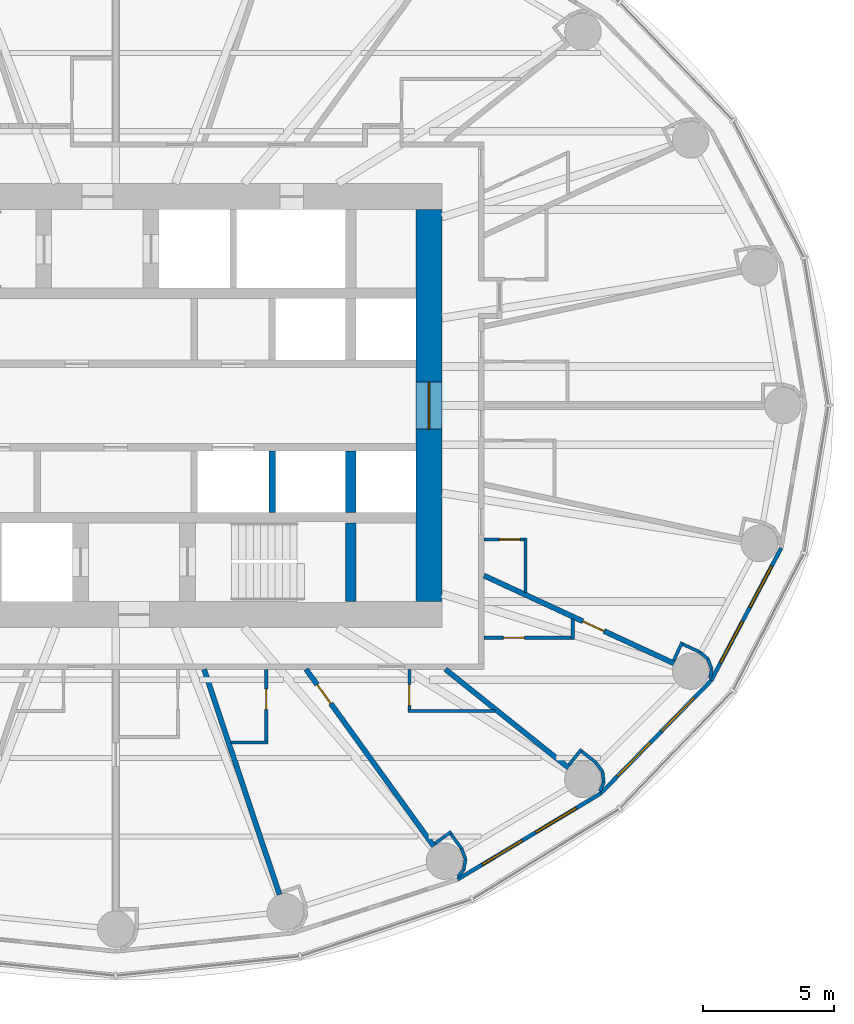
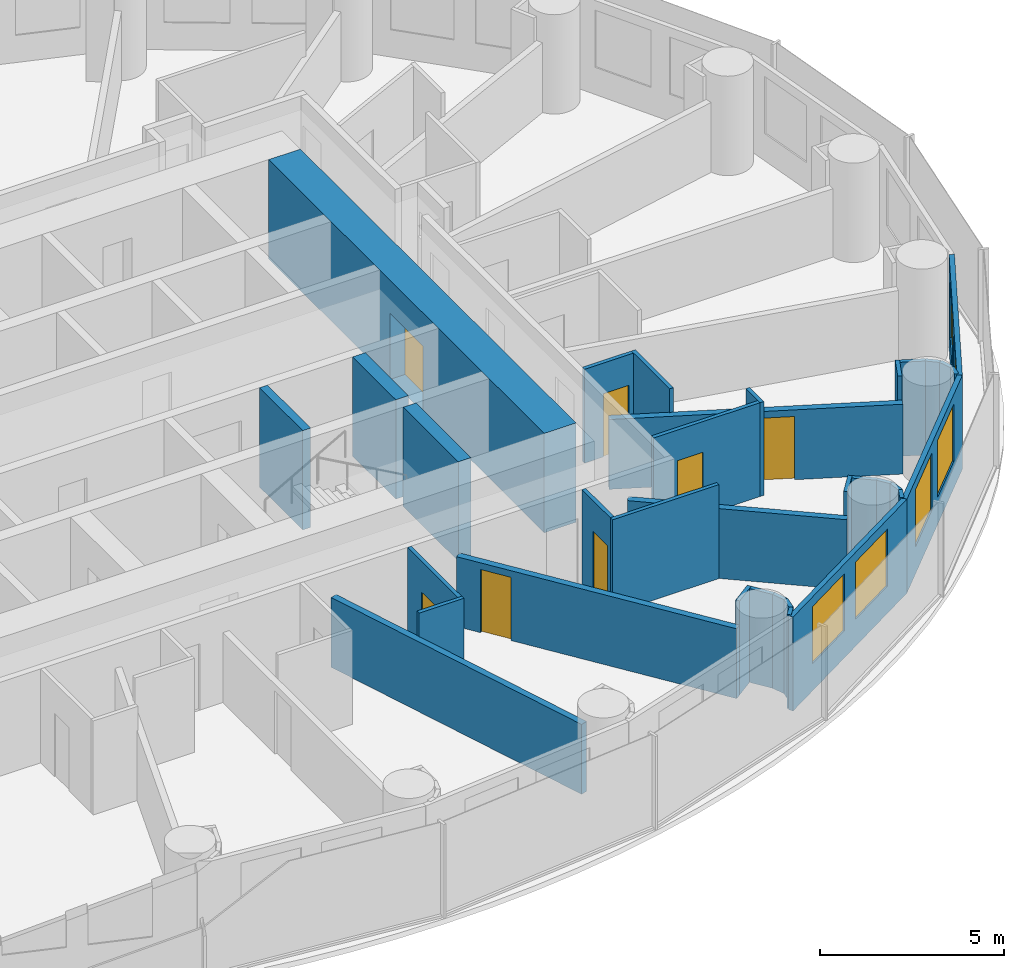
# One storey, part 10 of 16: 34 walls, 7 doors, 6 windows, 13 openings.
"""IFC4 building model written with IfcOpenShell, lengths in metres."""

from ifc_helpers import new_model, si_unit, direction, frame, frame_2d, origin, place, context, subcontext, project, spatial, rectangle, extrude, material, layer, layer_set, type_object, element, fill, save


model = new_model("IFC4")

# Units and contexts
model_context = context("Model", 3, precision=1e-05, world=origin(), true_north=direction((0.0, 1.0)))
body_context = subcontext(model_context, "Body", "Model", "MODEL_VIEW")
ifc_project = project(units=[si_unit("LENGTHUNIT", "METRE"), si_unit("AREAUNIT", "SQUARE_METRE"), si_unit("VOLUMEUNIT", "CUBIC_METRE"), si_unit("PLANEANGLEUNIT", "RADIAN"), si_unit("MASSUNIT", "GRAM", prefix="KILO")], contexts=[model_context])

# Site, building, storey
site_placement = place(None, origin())
site = spatial("IfcSite", under=ifc_project, at=site_placement, CompositionType="ELEMENT")
building_placement = place(site_placement, origin())
building = spatial("IfcBuilding", under=site, at=building_placement, Name="Hankou Lantern Tower", CompositionType="ELEMENT")
storey_placement = place(building_placement, frame((0.0, 0.0, 70.5)))
storey = spatial("IfcBuildingStorey", under=building, at=storey_placement, Name="L17", CompositionType="ELEMENT", Elevation=70.5)

# Wall, opening, door
ifc_material_1 = material(Name="Concrete C60", Category="concrete")
ifc_layer_1 = layer(ifc_material_1, 1.0)
ifc_layer_set_1 = layer_set([ifc_layer_1], Name="Concrete C60")
wall_type_1 = type_object("IfcWallType", Name="CW1 CORE WALL 1000", PredefinedType="SHEAR", material=ifc_layer_set_1)
wall_1_placement = place(storey_placement, frame((12.0, -7.5, 0.0), z_axis=(0.0, 0.0, 1.0), x_axis=(0.0, 1.0, 0.0)))
wall_1 = element("IfcWall", 1, at=wall_1_placement, inside=storey, type_object=wall_type_1, Name="Core wall east L17", PredefinedType="SHEAR", context=body_context, shape_type="SweptSolid", body=[
    extrude(rectangle(XDim=15.0, YDim=1.0, at=frame_2d((7.5, 0.0))), origin(), (0.0, 0.0, 1.0), 3.300048828125),
])
opening_1_placement = place(wall_1_placement, frame((6.60009765625, 0.0, 0.0)))
opening_1 = element("IfcOpeningElement", 2, at=opening_1_placement, cuts=wall_1, Name="Opening D6", PredefinedType="OPENING", context=body_context, shape_type="SweptSolid", body=[
    extrude(rectangle(XDim=1.800048828125, YDim=2.199951171875, at=frame_2d((0.89990234375, 1.10009765625))), frame((0.0, 0.510009765625, 0.0), z_axis=(0.0, -1.0, 0.0), x_axis=(1.0, 0.0, 0.0)), (0.0, 0.0, 1.0), 1.02001953125),
])
ifc_material_2 = material(Name="Steel door leaf", Category="steel")
door_type_1 = type_object("IfcDoorType", Name="D6 LIFT LOBBY DOOR 1800X2200", OperationType="DOUBLE_DOOR_DOUBLE_SWING", PredefinedType="DOOR", material=ifc_material_2)
door_1_placement = place(opening_1_placement, origin())
door_1 = element("IfcDoor", 3, at=door_1_placement, inside=storey, type_object=door_type_1, Name="Lift lobby east door", OperationType="DOUBLE_DOOR_DOUBLE_SWING", OverallHeight=2.199951171875, OverallWidth=1.800048828125, PredefinedType="DOOR", context=body_context, shape_type="SweptSolid", body=[
    extrude(rectangle(XDim=1.800048828125, YDim=2.199951171875, at=frame_2d((0.89990234375, 1.10009765625))), frame((0.0, 0.02490234375, 0.0), z_axis=(0.0, -1.0, 0.0), x_axis=(1.0, 0.0, 0.0)), (0.0, 0.0, 1.0), 0.050048828125),
])
fill(opening_1, door_1)

# Walls
ifc_material_3 = material(Name="Concrete C60", Category="concrete")
ifc_layer_2 = layer(ifc_material_3, 0.39990234375)
ifc_layer_set_2 = layer_set([ifc_layer_2], Name="Concrete C60")
wall_type_2 = type_object("IfcWallType", Name="CW4 CORE CROSS WALL 400", PredefinedType="SHEAR", material=ifc_layer_set_2)
wall_2_placement = place(storey_placement, frame((9.0, -4.10009765625, 0.0), z_axis=(0.0, 0.0, 1.0), x_axis=(0.0, 1.0, 0.0)))
element("IfcWall", 4, at=wall_2_placement, inside=storey, type_object=wall_type_2, Name="Core strip wall L17", PredefinedType="SHEAR", context=body_context, shape_type="SweptSolid", body=[
    extrude(rectangle(XDim=2.35009765625, YDim=0.39990234375, at=frame_2d((1.175048828125, 0.0))), origin(), (0.0, 0.0, 1.0), 3.300048828125),
])
wall_3_placement = place(storey_placement, frame((9.0, -7.5, 0.0), z_axis=(0.0, 0.0, 1.0), x_axis=(0.0, 1.0, 0.0)))
element("IfcWall", 5, at=wall_3_placement, inside=storey, type_object=wall_type_2, Name="Core strip wall L17", PredefinedType="SHEAR", context=body_context, shape_type="SweptSolid", body=[
    extrude(rectangle(XDim=3.0, YDim=0.39990234375, at=frame_2d((1.5, 0.0))), origin(), (0.0, 0.0, 1.0), 3.300048828125),
])

# Wall, openings, windows
ifc_material_4 = material(Name="Aluminium spandrel panel on steel studs", Category="steel")
ifc_layer_3 = layer(ifc_material_4, 0.14990234375)
ifc_layer_set_3 = layer_set([ifc_layer_3], Name="Aluminium spandrel panel on steel studs")
wall_type_3 = type_object("IfcWallType", Name="EW1 INNER SKIN WALL 150", PredefinedType="ELEMENTEDWALL", material=ifc_layer_set_3)
wall_4_placement = place(storey_placement, frame((13.096435546875, -18.14697265625, 0.0), z_axis=(0.0, 0.0, 1.0), x_axis=(0.856983180864, 0.515344377787, 0.0)))
wall_4 = element("IfcWall", 6, at=wall_4_placement, inside=storey, type_object=wall_type_3, Name="Inner skin R21-R22 L17", PredefinedType="ELEMENTEDWALL", context=body_context, shape_type="SweptSolid", body=[
    extrude(rectangle(XDim=6.386474609375, YDim=0.14990234375, at=frame_2d((3.193359375, 0.0))), origin(), (0.0, 0.0, 1.0), 3.1201171875),
])
opening_2_placement = place(wall_4_placement, frame((1.09326171875, 0.0, 0.89990234375)))
opening_2 = element("IfcOpeningElement", 7, at=opening_2_placement, cuts=wall_4, Name="Opening W1", PredefinedType="OPENING", context=body_context, shape_type="SweptSolid", body=[
    extrude(rectangle(XDim=1.800048828125, YDim=1.89990234375, at=frame_2d((0.89990234375, 0.949951171875))), frame((0.0, 0.0849609375, 0.0), z_axis=(0.0, -1.0, 0.0), x_axis=(1.0, 0.0, 0.0)), (0.0, 0.0, 1.0), 0.169921875),
])
opening_3_placement = place(wall_4_placement, frame((3.4931640625, 0.0, 0.89990234375)))
opening_3 = element("IfcOpeningElement", 8, at=opening_3_placement, cuts=wall_4, Name="Opening W1", PredefinedType="OPENING", context=body_context, shape_type="SweptSolid", body=[
    extrude(rectangle(XDim=1.800048828125, YDim=1.89990234375, at=frame_2d((0.89990234375, 0.949951171875))), frame((0.0, 0.0849609375, 0.0), z_axis=(0.0, -1.0, 0.0), x_axis=(1.0, 0.0, 0.0)), (0.0, 0.0, 1.0), 0.169921875),
])
ifc_material_5 = material(Name="Aluminium framed double glazed window", Category="aluminium")
window_type = type_object("IfcWindowType", Name="W1 GUEST ROOM WINDOW 1800X1900", PartitioningType="DOUBLE_PANEL_VERTICAL", PredefinedType="WINDOW", material=ifc_material_5)
window_1_placement = place(opening_2_placement, origin())
window_1 = element("IfcWindow", 9, at=window_1_placement, inside=storey, type_object=window_type, Name="Window R21.1 L17", OverallHeight=1.89990234375, OverallWidth=1.800048828125, PartitioningType="SINGLE_PANEL", PredefinedType="WINDOW", context=body_context, shape_type="SweptSolid", body=[
    extrude(rectangle(XDim=1.800048828125, YDim=1.89990234375, at=frame_2d((0.89990234375, 0.949951171875))), frame((0.0, 0.030029296875, 0.0), z_axis=(0.0, -1.0, 0.0), x_axis=(1.0, 0.0, 0.0)), (0.0, 0.0, 1.0), 0.06005859375),
])
fill(opening_2, window_1)
window_2_placement = place(opening_3_placement, origin())
window_2 = element("IfcWindow", 10, at=window_2_placement, inside=storey, type_object=window_type, Name="Window R21.2 L17", OverallHeight=1.89990234375, OverallWidth=1.800048828125, PartitioningType="SINGLE_PANEL", PredefinedType="WINDOW", context=body_context, shape_type="SweptSolid", body=[
    extrude(rectangle(XDim=1.800048828125, YDim=1.89990234375, at=frame_2d((0.89990234375, 0.949951171875))), frame((0.0, 0.030029296875, 0.0), z_axis=(0.0, -1.0, 0.0), x_axis=(1.0, 0.0, 0.0)), (0.0, 0.0, 1.0), 0.06005859375),
])
fill(opening_3, window_2)

wall_5_placement = place(storey_placement, frame((18.569580078125, -14.855712890625, 0.0), z_axis=(0.0, 0.0, 1.0), x_axis=(0.699602905915, 0.714531856557, 0.0)))
wall_5 = element("IfcWall", 11, at=wall_5_placement, inside=storey, type_object=wall_type_3, Name="Inner skin R22-R23 L17", PredefinedType="ELEMENTEDWALL", context=body_context, shape_type="SweptSolid", body=[
    extrude(rectangle(XDim=6.05078125, YDim=0.14990234375, at=frame_2d((3.025390625, 0.0))), origin(), (0.0, 0.0, 1.0), 3.1201171875),
])
opening_4_placement = place(wall_5_placement, frame((0.925537109375, 0.0, 0.89990234375)))
opening_4 = element("IfcOpeningElement", 12, at=opening_4_placement, cuts=wall_5, Name="Opening W1", PredefinedType="OPENING", context=body_context, shape_type="SweptSolid", body=[
    extrude(rectangle(XDim=1.800048828125, YDim=1.89990234375, at=frame_2d((0.89990234375, 0.949951171875))), frame((0.0, 0.0849609375, 0.0), z_axis=(0.0, -1.0, 0.0), x_axis=(1.0, 0.0, 0.0)), (0.0, 0.0, 1.0), 0.169921875),
])
opening_5_placement = place(wall_5_placement, frame((3.325439453125, 0.0, 0.89990234375)))
opening_5 = element("IfcOpeningElement", 13, at=opening_5_placement, cuts=wall_5, Name="Opening W1", PredefinedType="OPENING", context=body_context, shape_type="SweptSolid", body=[
    extrude(rectangle(XDim=1.800048828125, YDim=1.89990234375, at=frame_2d((0.89990234375, 0.949951171875))), frame((0.0, 0.0849609375, 0.0), z_axis=(0.0, -1.0, 0.0), x_axis=(1.0, 0.0, 0.0)), (0.0, 0.0, 1.0), 0.169921875),
])
window_3_placement = place(opening_4_placement, origin())
window_3 = element("IfcWindow", 14, at=window_3_placement, inside=storey, type_object=window_type, Name="Window R22.1 L17", OverallHeight=1.89990234375, OverallWidth=1.800048828125, PartitioningType="SINGLE_PANEL", PredefinedType="WINDOW", context=body_context, shape_type="SweptSolid", body=[
    extrude(rectangle(XDim=1.800048828125, YDim=1.89990234375, at=frame_2d((0.89990234375, 0.949951171875))), frame((0.0, 0.030029296875, 0.0), z_axis=(0.0, -1.0, 0.0), x_axis=(1.0, 0.0, 0.0)), (0.0, 0.0, 1.0), 0.06005859375),
])
fill(opening_4, window_3)
window_4_placement = place(opening_5_placement, origin())
window_4 = element("IfcWindow", 15, at=window_4_placement, inside=storey, type_object=window_type, Name="Window R22.2 L17", OverallHeight=1.89990234375, OverallWidth=1.800048828125, PartitioningType="SINGLE_PANEL", PredefinedType="WINDOW", context=body_context, shape_type="SweptSolid", body=[
    extrude(rectangle(XDim=1.800048828125, YDim=1.89990234375, at=frame_2d((0.89990234375, 0.949951171875))), frame((0.0, 0.030029296875, 0.0), z_axis=(0.0, -1.0, 0.0), x_axis=(1.0, 0.0, 0.0)), (0.0, 0.0, 1.0), 0.06005859375),
])
fill(opening_5, window_4)

wall_6_placement = place(storey_placement, frame((22.802734375, -10.5322265625, 0.0), z_axis=(0.0, 0.0, 1.0), x_axis=(0.467296867008, 0.884100468321, 0.0)))
wall_6 = element("IfcWall", 16, at=wall_6_placement, inside=storey, type_object=wall_type_3, Name="Inner skin R23-R24 L17", PredefinedType="ELEMENTEDWALL", context=body_context, shape_type="SweptSolid", body=[
    extrude(rectangle(XDim=5.734375, YDim=0.14990234375, at=frame_2d((2.8671875, 0.0))), origin(), (0.0, 0.0, 1.0), 3.1201171875),
])
opening_6_placement = place(wall_6_placement, frame((0.76708984375, 0.0, 0.89990234375)))
opening_6 = element("IfcOpeningElement", 17, at=opening_6_placement, cuts=wall_6, Name="Opening W1", PredefinedType="OPENING", context=body_context, shape_type="SweptSolid", body=[
    extrude(rectangle(XDim=1.800048828125, YDim=1.89990234375, at=frame_2d((0.89990234375, 0.949951171875))), frame((0.0, 0.0849609375, 0.0), z_axis=(0.0, -1.0, 0.0), x_axis=(1.0, 0.0, 0.0)), (0.0, 0.0, 1.0), 0.169921875),
])
opening_7_placement = place(wall_6_placement, frame((3.167236328125, 0.0, 0.89990234375)))
opening_7 = element("IfcOpeningElement", 18, at=opening_7_placement, cuts=wall_6, Name="Opening W1", PredefinedType="OPENING", context=body_context, shape_type="SweptSolid", body=[
    extrude(rectangle(XDim=1.800048828125, YDim=1.89990234375, at=frame_2d((0.89990234375, 0.949951171875))), frame((0.0, 0.0849609375, 0.0), z_axis=(0.0, -1.0, 0.0), x_axis=(1.0, 0.0, 0.0)), (0.0, 0.0, 1.0), 0.169921875),
])
window_5_placement = place(opening_6_placement, origin())
window_5 = element("IfcWindow", 19, at=window_5_placement, inside=storey, type_object=window_type, Name="Window R23.1 L17", OverallHeight=1.89990234375, OverallWidth=1.800048828125, PartitioningType="SINGLE_PANEL", PredefinedType="WINDOW", context=body_context, shape_type="SweptSolid", body=[
    extrude(rectangle(XDim=1.800048828125, YDim=1.89990234375, at=frame_2d((0.89990234375, 0.949951171875))), frame((0.0, 0.030029296875, 0.0), z_axis=(0.0, -1.0, 0.0), x_axis=(1.0, 0.0, 0.0)), (0.0, 0.0, 1.0), 0.06005859375),
])
fill(opening_6, window_5)
window_6_placement = place(opening_7_placement, origin())
window_6 = element("IfcWindow", 20, at=window_6_placement, inside=storey, type_object=window_type, Name="Window R23.2 L17", OverallHeight=1.89990234375, OverallWidth=1.800048828125, PartitioningType="SINGLE_PANEL", PredefinedType="WINDOW", context=body_context, shape_type="SweptSolid", body=[
    extrude(rectangle(XDim=1.800048828125, YDim=1.89990234375, at=frame_2d((0.89990234375, 0.949951171875))), frame((0.0, 0.030029296875, 0.0), z_axis=(0.0, -1.0, 0.0), x_axis=(1.0, 0.0, 0.0)), (0.0, 0.0, 1.0), 0.06005859375),
])
fill(opening_7, window_6)

# Walls
ifc_material_6 = material(Name="Masonry lightweight concrete block", Category="masonry")
ifc_layer_4 = layer(ifc_material_6, 0.199951171875)
ifc_layer_set_4 = layer_set([ifc_layer_4], Name="Masonry lightweight concrete block")
wall_type_4 = type_object("IfcWallType", Name="IW1 GUEST ROOM PARTY WALL 200", PredefinedType="PARTITIONING", material=ifc_layer_set_4)
wall_7_placement = place(storey_placement, frame((3.3828125, -10.10009765625, 0.0), z_axis=(0.0, 0.0, 1.0), x_axis=(0.31759592231, -0.948226149256, 0.0)))
element("IfcWall", 21, at=wall_7_placement, inside=storey, type_object=wall_type_4, Name="Party wall R20", PredefinedType="PARTITIONING", context=body_context, shape_type="SweptSolid", body=[
    extrude(rectangle(XDim=9.098388671875, YDim=0.199951171875, at=frame_2d((4.54931640625, 0.0))), origin(), (0.0, 0.0, 1.0), 2.320068359375),
])
wall_8_placement = place(storey_placement, frame((12.625, -10.10009765625, 0.0), z_axis=(0.0, 0.0, 1.0), x_axis=(0.780892451574, -0.624665493744, 0.0)))
element("IfcWall", 22, at=wall_8_placement, inside=storey, type_object=wall_type_4, Name="Party wall R22", PredefinedType="PARTITIONING", context=body_context, shape_type="SweptSolid", body=[
    extrude(rectangle(XDim=6.044677734375, YDim=0.199951171875, at=frame_2d((3.0224609375, 0.0))), origin(), (0.0, 0.0, 1.0), 2.320068359375),
])
ifc_material_7 = material(Name="Masonry lightweight concrete block", Category="masonry")
ifc_layer_5 = layer(ifc_material_7, 0.1201171875)
ifc_layer_set_5 = layer_set([ifc_layer_5], Name="Masonry lightweight concrete block")
wall_type_5 = type_object("IfcWallType", Name="IW3 BATHROOM WALL 120", PredefinedType="PARTITIONING", material=ifc_layer_set_5)
wall_9_placement = place(storey_placement, frame((4.420654296875, -12.89990234375, 0.0), z_axis=(0.0, 0.0, 1.0), x_axis=(1.0, 0.0, 0.0)))
element("IfcWall", 23, at=wall_9_placement, inside=storey, type_object=wall_type_5, Name="Box wall 1703A 1", PredefinedType="PARTITIONING", context=body_context, shape_type="SweptSolid", body=[
    extrude(rectangle(XDim=1.402099609375, YDim=0.1201171875, at=frame_2d((0.701171875, 0.0))), origin(), (0.0, 0.0, 1.0), 3.1201171875),
])

# Wall, opening, door
wall_10_placement = place(storey_placement, frame((5.762939453125, -10.10009765625, 0.0), z_axis=(0.0, 0.0, 1.0), x_axis=(0.0, -1.0, 0.0)))
wall_10 = element("IfcWall", 24, at=wall_10_placement, inside=storey, type_object=wall_type_5, Name="Box wall 1703A 1", PredefinedType="PARTITIONING", context=body_context, shape_type="SweptSolid", body=[
    extrude(rectangle(XDim=2.739990234375, YDim=0.1201171875, at=frame_2d((1.3701171875, 0.0))), origin(), (0.0, 0.0, 1.0), 3.1201171875),
])
opening_8_placement = place(wall_10_placement, frame((0.75, 0.0, 0.0)))
opening_8 = element("IfcOpeningElement", 25, at=opening_8_placement, cuts=wall_10, Name="Opening D3", PredefinedType="OPENING", context=body_context, shape_type="SweptSolid", body=[
    extrude(rectangle(XDim=0.800048828125, YDim=2.10009765625, at=frame_2d((0.39990234375, 1.050048828125))), frame((0.0, 0.070068359375, 0.0), z_axis=(0.0, -1.0, 0.0), x_axis=(1.0, 0.0, 0.0)), (0.0, 0.0, 1.0), 0.14013671875),
])
ifc_material_8 = material(Name="Timber door leaf", Category="wood")
door_type_2 = type_object("IfcDoorType", Name="D3 BATHROOM DOOR 800X2100", OperationType="SINGLE_SWING_LEFT", PredefinedType="DOOR", material=ifc_material_8)
door_2_placement = place(opening_8_placement, origin())
door_2 = element("IfcDoor", 26, at=door_2_placement, inside=storey, type_object=door_type_2, Name="Suite 1703 bathroom door", OperationType="SINGLE_SWING_LEFT", OverallHeight=2.10009765625, OverallWidth=0.800048828125, PredefinedType="DOOR", context=body_context, shape_type="SweptSolid", body=[
    extrude(rectangle(XDim=0.800048828125, YDim=2.10009765625, at=frame_2d((0.39990234375, 1.050048828125))), frame((0.0, 0.02490234375, 0.0), z_axis=(0.0, -1.0, 0.0), x_axis=(1.0, 0.0, 0.0)), (0.0, 0.0, 1.0), 0.050048828125),
])
fill(opening_8, door_2)

# Wall
wall_11_placement = place(storey_placement, frame((14.52490234375, -11.699951171875, 0.0), z_axis=(0.0, 0.0, 1.0), x_axis=(-1.0, 0.0, 0.0)))
element("IfcWall", 27, at=wall_11_placement, inside=storey, type_object=wall_type_5, Name="Box wall 1703C 1", PredefinedType="PARTITIONING", context=body_context, shape_type="SweptSolid", body=[
    extrude(rectangle(XDim=3.33984375, YDim=0.1201171875, at=frame_2d((1.669921875, 0.0))), origin(), (0.0, 0.0, 1.0), 3.1201171875),
])

# Wall, opening, door
wall_12_placement = place(storey_placement, frame((11.2451171875, -10.10009765625, 0.0), z_axis=(0.0, 0.0, 1.0), x_axis=(0.0, -1.0, 0.0)))
wall_12 = element("IfcWall", 28, at=wall_12_placement, inside=storey, type_object=wall_type_5, Name="Box wall 1703C 1", PredefinedType="PARTITIONING", context=body_context, shape_type="SweptSolid", body=[
    extrude(rectangle(XDim=1.539794921875, YDim=0.1201171875, at=frame_2d((0.77001953125, 0.0))), origin(), (0.0, 0.0, 1.0), 3.1201171875),
])
opening_9_placement = place(wall_12_placement, frame((0.590087890625, 0.0, 0.0)))
opening_9 = element("IfcOpeningElement", 29, at=opening_9_placement, cuts=wall_12, Name="Opening D3", PredefinedType="OPENING", context=body_context, shape_type="SweptSolid", body=[
    extrude(rectangle(XDim=0.800048828125, YDim=2.10009765625, at=frame_2d((0.39990234375, 1.050048828125))), frame((0.0, 0.070068359375, 0.0), z_axis=(0.0, -1.0, 0.0), x_axis=(1.0, 0.0, 0.0)), (0.0, 0.0, 1.0), 0.14013671875),
])
door_3_placement = place(opening_9_placement, origin())
door_3 = element("IfcDoor", 30, at=door_3_placement, inside=storey, type_object=door_type_2, Name="Suite 1703 guest WC door", OperationType="SINGLE_SWING_RIGHT", OverallHeight=2.10009765625, OverallWidth=0.800048828125, PredefinedType="DOOR", context=body_context, shape_type="SweptSolid", body=[
    extrude(rectangle(XDim=0.800048828125, YDim=2.10009765625, at=frame_2d((0.39990234375, 1.050048828125))), frame((0.0, 0.02490234375, 0.0), z_axis=(0.0, -1.0, 0.0), x_axis=(1.0, 0.0, 0.0)), (0.0, 0.0, 1.0), 0.050048828125),
])
fill(opening_9, door_3)

# Wall
wall_13_placement = place(storey_placement, frame((17.5, -8.182861328125, 0.0), z_axis=(0.0, 0.0, 1.0), x_axis=(0.0, -1.0, 0.0)))
element("IfcWall", 31, at=wall_13_placement, inside=storey, type_object=wall_type_5, Name="Box wall 1704A 1", PredefinedType="PARTITIONING", context=body_context, shape_type="SweptSolid", body=[
    extrude(rectangle(XDim=0.76953125, YDim=0.1201171875, at=frame_2d((0.384765625, 0.0))), origin(), (0.0, 0.0, 1.0), 3.1201171875),
])

# Wall, opening, door
wall_14_placement = place(storey_placement, frame((14.10009765625, -8.892578125, 0.0), z_axis=(0.0, 0.0, 1.0), x_axis=(1.0, 0.0, 0.0)))
wall_14 = element("IfcWall", 32, at=wall_14_placement, inside=storey, type_object=wall_type_5, Name="Box wall 1704A 1", PredefinedType="PARTITIONING", context=body_context, shape_type="SweptSolid", body=[
    extrude(rectangle(XDim=3.33984375, YDim=0.1201171875, at=frame_2d((1.669921875, 0.0))), origin(), (0.0, 0.0, 1.0), 3.1201171875),
])
opening_10_placement = place(wall_14_placement, frame((0.75, 0.0, 0.0)))
opening_10 = element("IfcOpeningElement", 33, at=opening_10_placement, cuts=wall_14, Name="Opening D3", PredefinedType="OPENING", context=body_context, shape_type="SweptSolid", body=[
    extrude(rectangle(XDim=0.800048828125, YDim=2.10009765625, at=frame_2d((0.39990234375, 1.050048828125))), frame((0.0, 0.070068359375, 0.0), z_axis=(0.0, -1.0, 0.0), x_axis=(1.0, 0.0, 0.0)), (0.0, 0.0, 1.0), 0.14013671875),
])
door_4_placement = place(opening_10_placement, origin())
door_4 = element("IfcDoor", 34, at=door_4_placement, inside=storey, type_object=door_type_2, Name="Suite 1704 bathroom door", OperationType="SINGLE_SWING_LEFT", OverallHeight=2.10009765625, OverallWidth=0.800048828125, PredefinedType="DOOR", context=body_context, shape_type="SweptSolid", body=[
    extrude(rectangle(XDim=0.800048828125, YDim=2.10009765625, at=frame_2d((0.39990234375, 1.050048828125))), frame((0.0, 0.02490234375, 0.0), z_axis=(0.0, -1.0, 0.0), x_axis=(1.0, 0.0, 0.0)), (0.0, 0.0, 1.0), 0.050048828125),
])
fill(opening_10, door_4)

# Wall
wall_15_placement = place(storey_placement, frame((15.699951171875, -7.151611328125, 0.0), z_axis=(0.0, 0.0, 1.0), x_axis=(0.0, 1.0, 0.0)))
element("IfcWall", 35, at=wall_15_placement, inside=storey, type_object=wall_type_5, Name="Box wall 1704C 1", PredefinedType="PARTITIONING", context=body_context, shape_type="SweptSolid", body=[
    extrude(rectangle(XDim=2.0791015625, YDim=0.1201171875, at=frame_2d((1.03955078125, 0.0))), origin(), (0.0, 0.0, 1.0), 3.1201171875),
])

# Wall, opening, door
wall_16_placement = place(storey_placement, frame((14.10009765625, -5.132568359375, 0.0), z_axis=(0.0, 0.0, 1.0), x_axis=(1.0, 0.0, 0.0)))
wall_16 = element("IfcWall", 36, at=wall_16_placement, inside=storey, type_object=wall_type_5, Name="Box wall 1704C 1", PredefinedType="PARTITIONING", context=body_context, shape_type="SweptSolid", body=[
    extrude(rectangle(XDim=1.539794921875, YDim=0.1201171875, at=frame_2d((0.77001953125, 0.0))), origin(), (0.0, 0.0, 1.0), 3.1201171875),
])
opening_11_placement = place(wall_16_placement, frame((0.590087890625, 0.0, 0.0)))
opening_11 = element("IfcOpeningElement", 37, at=opening_11_placement, cuts=wall_16, Name="Opening D3", PredefinedType="OPENING", context=body_context, shape_type="SweptSolid", body=[
    extrude(rectangle(XDim=0.800048828125, YDim=2.10009765625, at=frame_2d((0.39990234375, 1.050048828125))), frame((0.0, 0.070068359375, 0.0), z_axis=(0.0, -1.0, 0.0), x_axis=(1.0, 0.0, 0.0)), (0.0, 0.0, 1.0), 0.14013671875),
])
door_5_placement = place(opening_11_placement, origin())
door_5 = element("IfcDoor", 38, at=door_5_placement, inside=storey, type_object=door_type_2, Name="Suite 1704 guest WC door", OperationType="SINGLE_SWING_LEFT", OverallHeight=2.10009765625, OverallWidth=0.800048828125, PredefinedType="DOOR", context=body_context, shape_type="SweptSolid", body=[
    extrude(rectangle(XDim=0.800048828125, YDim=2.10009765625, at=frame_2d((0.39990234375, 1.050048828125))), frame((0.0, 0.02490234375, 0.0), z_axis=(0.0, -1.0, 0.0), x_axis=(1.0, 0.0, 0.0)), (0.0, 0.0, 1.0), 0.050048828125),
])
fill(opening_11, door_5)

# Walls
ifc_material_9 = material(Name="Masonry lightweight concrete block", Category="masonry")
ifc_layer_6 = layer(ifc_material_9, 0.1201171875)
ifc_layer_set_6 = layer_set([ifc_layer_6], Name="Masonry lightweight concrete block")
wall_type_6 = type_object("IfcWallType", Name="IW4 PARTITION 120", PredefinedType="PARTITIONING", material=ifc_layer_set_6)
wall_17_placement = place(storey_placement, frame((12.227294921875, -16.771728515625, 0.0), z_axis=(0.0, 0.0, 1.0), x_axis=(0.810821798253, 0.585293098778, 0.0)))
element("IfcWall", 39, at=wall_17_placement, inside=storey, type_object=wall_type_6, Name="Column casing R21 return", PredefinedType="PARTITIONING", context=body_context, shape_type="SweptSolid", body=[
    extrude(rectangle(XDim=0.767578125, YDim=0.1201171875, at=frame_2d((0.3837890625, 0.0))), origin(), (0.0, 0.0, 1.0), 3.1201171875),
])
wall_18_placement = place(storey_placement, frame((12.8359375, -16.40625, 0.0), z_axis=(0.0, 0.0, 1.0), x_axis=(0.585223113993, -0.810872312296, 0.0)))
element("IfcWall", 40, at=wall_18_placement, inside=storey, type_object=wall_type_6, Name="Column casing R21", PredefinedType="PARTITIONING", context=body_context, shape_type="SweptSolid", body=[
    extrude(rectangle(XDim=0.699951171875, YDim=0.1201171875, at=frame_2d((0.35009765625, 0.0))), origin(), (0.0, 0.0, 1.0), 3.1201171875),
])
wall_19_placement = place(storey_placement, frame((13.24560546875, -16.973876953125, 0.0), z_axis=(0.0, 0.0, 1.0), x_axis=(0.355728122235, -0.934589483705, 0.0)))
element("IfcWall", 41, at=wall_19_placement, inside=storey, type_object=wall_type_6, Name="Column casing R21", PredefinedType="PARTITIONING", context=body_context, shape_type="SweptSolid", body=[
    extrude(rectangle(XDim=0.41796875, YDim=0.1201171875, at=frame_2d((0.208984375, 0.0))), origin(), (0.0, 0.0, 1.0), 3.1201171875),
])
wall_20_placement = place(storey_placement, frame((13.394287109375, -17.364501953125, 0.0), z_axis=(0.0, 0.0, 1.0), x_axis=(-0.159379276926, -0.987217425943, 0.0)))
element("IfcWall", 42, at=wall_20_placement, inside=storey, type_object=wall_type_6, Name="Column casing R21", PredefinedType="PARTITIONING", context=body_context, shape_type="SweptSolid", body=[
    extrude(rectangle(XDim=0.418212890625, YDim=0.1201171875, at=frame_2d((0.208984375, 0.0))), origin(), (0.0, 0.0, 1.0), 3.1201171875),
])
wall_21_placement = place(storey_placement, frame((13.32763671875, -17.77734375, 0.0), z_axis=(0.0, 0.0, 1.0), x_axis=(-0.632276783541, -0.774742582407, 0.0)))
element("IfcWall", 43, at=wall_21_placement, inside=storey, type_object=wall_type_6, Name="Column casing R21", PredefinedType="PARTITIONING", context=body_context, shape_type="SweptSolid", body=[
    extrude(rectangle(XDim=0.35986328125, YDim=0.1201171875, at=frame_2d((0.179931640625, 0.0))), origin(), (0.0, 0.0, 1.0), 3.1201171875),
])
wall_22_placement = place(storey_placement, frame((17.36083984375, -13.760498046875, 0.0), z_axis=(0.0, 0.0, 1.0), x_axis=(0.624501042889, 0.781023973659, 0.0)))
element("IfcWall", 44, at=wall_22_placement, inside=storey, type_object=wall_type_6, Name="Column casing R22 return", PredefinedType="PARTITIONING", context=body_context, shape_type="SweptSolid", body=[
    extrude(rectangle(XDim=0.767333984375, YDim=0.1201171875, at=frame_2d((0.3837890625, 0.0))), origin(), (0.0, 0.0, 1.0), 3.1201171875),
])
wall_23_placement = place(storey_placement, frame((17.849609375, -13.24560546875, 0.0), z_axis=(0.0, 0.0, 1.0), x_axis=(0.780902834923, -0.62465251333, 0.0)))
element("IfcWall", 45, at=wall_23_placement, inside=storey, type_object=wall_type_6, Name="Column casing R22", PredefinedType="PARTITIONING", context=body_context, shape_type="SweptSolid", body=[
    extrude(rectangle(XDim=0.699951171875, YDim=0.1201171875, at=frame_2d((0.35009765625, 0.0))), origin(), (0.0, 0.0, 1.0), 3.1201171875),
])
for number, where, z_axis, x_axis, name in (
    (46, (18.396240234375, -13.682861328125, 0.0), (0.0, 0.0, 1.0), (0.592401603461, -0.805642811807, 0.0), "Column casing R22"),
    (47, (18.643798828125, -14.01953125, 0.0), (0.0, 0.0, 1.0), (0.110367433259, -0.993890854006, 0.0), "Column casing R22"),
):
    element("IfcWall", number, at=place(storey_placement, frame(where, z_axis=z_axis, x_axis=x_axis)), inside=storey, type_object=wall_type_6, Name=name, PredefinedType="PARTITIONING", context=body_context, shape_type="SweptSolid", body=[
        extrude(rectangle(XDim=0.41796875, YDim=0.1201171875, at=frame_2d((0.208984375, 0.0))), origin(), (0.0, 0.0, 1.0), 3.1201171875),
    ])
wall_24_placement = place(storey_placement, frame((18.68994140625, -14.43505859375, 0.0), z_axis=(0.0, 0.0, 1.0), x_axis=(-0.401093412634, -0.91603715773, 0.0)))
element("IfcWall", 48, at=wall_24_placement, inside=storey, type_object=wall_type_6, Name="Column casing R22", PredefinedType="PARTITIONING", context=body_context, shape_type="SweptSolid", body=[
    extrude(rectangle(XDim=0.373046875, YDim=0.1201171875, at=frame_2d((0.1865234375, 0.0))), origin(), (0.0, 0.0, 1.0), 3.1201171875),
])
wall_25_placement = place(storey_placement, frame((21.37109375, -9.7607421875, 0.0), z_axis=(0.0, 0.0, 1.0), x_axis=(0.419259891039, 0.907866258744, 0.0)))
element("IfcWall", 49, at=wall_25_placement, inside=storey, type_object=wall_type_6, Name="Column casing R23 return", PredefinedType="PARTITIONING", context=body_context, shape_type="SweptSolid", body=[
    extrude(rectangle(XDim=0.767578125, YDim=0.1201171875, at=frame_2d((0.3837890625, 0.0))), origin(), (0.0, 0.0, 1.0), 3.1201171875),
])
wall_26_placement = place(storey_placement, frame((21.72216796875, -9.1435546875, 0.0), z_axis=(0.0, 0.0, 1.0), x_axis=(0.907877701396, -0.419235112208, 0.0)))
element("IfcWall", 50, at=wall_26_placement, inside=storey, type_object=wall_type_6, Name="Column casing R23", PredefinedType="PARTITIONING", context=body_context, shape_type="SweptSolid", body=[
    extrude(rectangle(XDim=0.699951171875, YDim=0.1201171875, at=frame_2d((0.35009765625, 0.0))), origin(), (0.0, 0.0, 1.0), 3.1201171875),
])
wall_27_placement = place(storey_placement, frame((22.357666015625, -9.43701171875, 0.0), z_axis=(0.0, 0.0, 1.0), x_axis=(0.768412687942, -0.639954639806, 0.0)))
element("IfcWall", 51, at=wall_27_placement, inside=storey, type_object=wall_type_6, Name="Column casing R23", PredefinedType="PARTITIONING", context=body_context, shape_type="SweptSolid", body=[
    extrude(rectangle(XDim=0.418212890625, YDim=0.1201171875, at=frame_2d((0.208984375, 0.0))), origin(), (0.0, 0.0, 1.0), 3.1201171875),
])
wall_28_placement = place(storey_placement, frame((22.678955078125, -9.70458984375, 0.0), z_axis=(0.0, 0.0, 1.0), x_axis=(0.345164001646, -0.938542386879, 0.0)))
element("IfcWall", 52, at=wall_28_placement, inside=storey, type_object=wall_type_6, Name="Column casing R23", PredefinedType="PARTITIONING", context=body_context, shape_type="SweptSolid", body=[
    extrude(rectangle(XDim=0.41796875, YDim=0.1201171875, at=frame_2d((0.208984375, 0.0))), origin(), (0.0, 0.0, 1.0), 3.1201171875),
])
wall_29_placement = place(storey_placement, frame((22.8232421875, -10.096923828125, 0.0), z_axis=(0.0, 0.0, 1.0), x_axis=(-0.169674995186, -0.985500074079, 0.0)))
element("IfcWall", 53, at=wall_29_placement, inside=storey, type_object=wall_type_6, Name="Column casing R23", PredefinedType="PARTITIONING", context=body_context, shape_type="SweptSolid", body=[
    extrude(rectangle(XDim=0.3525390625, YDim=0.1201171875, at=frame_2d((0.17626953125, 0.0))), origin(), (0.0, 0.0, 1.0), 3.1201171875),
])

# Wall, opening, door
ifc_material_10 = material(Name="Masonry lightweight concrete block", Category="masonry")
ifc_layer_7 = layer(ifc_material_10, 0.199951171875)
ifc_layer_set_7 = layer_set([ifc_layer_7], Name="Masonry lightweight concrete block")
wall_type_7 = type_object("IfcWallType", Name="IW6 SUITE PARTITION 200", PredefinedType="PARTITIONING", material=ifc_layer_set_7)
wall_30_placement = place(storey_placement, frame((7.2890625, -10.10009765625, 0.0), z_axis=(0.0, 0.0, 1.0), x_axis=(0.585198353053, -0.810890182197, 0.0)))
wall_30 = element("IfcWall", 54, at=wall_30_placement, inside=storey, type_object=wall_type_7, Name="Suite partition R21", PredefinedType="PARTITIONING", context=body_context, shape_type="SweptSolid", body=[
    extrude(rectangle(XDim=8.359619140625, YDim=0.199951171875, at=frame_2d((4.1796875, 0.0))), origin(), (0.0, 0.0, 1.0), 2.320068359375),
])
opening_12_placement = place(wall_30_placement, frame((0.719970703125, 0.0, 0.0)))
opening_12 = element("IfcOpeningElement", 55, at=opening_12_placement, cuts=wall_30, Name="Opening D27", PredefinedType="OPENING", context=body_context, shape_type="SweptSolid", body=[
    extrude(rectangle(XDim=0.89990234375, YDim=2.10009765625, at=frame_2d((0.449951171875, 1.050048828125))), frame((0.0, 0.10986328125, 0.0), z_axis=(0.0, -1.0, 0.0), x_axis=(1.0, 0.0, 0.0)), (0.0, 0.0, 1.0), 0.219970703125),
])
ifc_material_11 = material(Name="Timber door leaf", Category="wood")
door_type_3 = type_object("IfcDoorType", Name="D27 INTERNAL DOOR 900X2100", OperationType="SINGLE_SWING_LEFT", PredefinedType="DOOR", material=ifc_material_11)
door_6_placement = place(opening_12_placement, origin())
door_6 = element("IfcDoor", 56, at=door_6_placement, inside=storey, type_object=door_type_3, Name="Suite 1703 living room door", OperationType="SINGLE_SWING_LEFT", OverallHeight=2.10009765625, OverallWidth=0.89990234375, PredefinedType="DOOR", context=body_context, shape_type="SweptSolid", body=[
    extrude(rectangle(XDim=0.89990234375, YDim=2.10009765625, at=frame_2d((0.449951171875, 1.050048828125))), frame((0.0, 0.02490234375, 0.0), z_axis=(0.0, -1.0, 0.0), x_axis=(1.0, 0.0, 0.0)), (0.0, 0.0, 1.0), 0.050048828125),
])
fill(opening_12, door_6)

wall_31_placement = place(storey_placement, frame((14.10009765625, -6.512451171875, 0.0), z_axis=(0.0, 0.0, 1.0), x_axis=(0.907832871056, -0.419332181247, 0.0)))
wall_31 = element("IfcWall", 57, at=wall_31_placement, inside=storey, type_object=wall_type_7, Name="Suite partition R23", PredefinedType="PARTITIONING", context=body_context, shape_type="SweptSolid", body=[
    extrude(rectangle(XDim=8.02294921875, YDim=0.199951171875, at=frame_2d((4.011474609375, 0.0))), origin(), (0.0, 0.0, 1.0), 2.320068359375),
])
opening_13_placement = place(wall_31_placement, frame((4.169921875, 0.0, 0.0)))
opening_13 = element("IfcOpeningElement", 58, at=opening_13_placement, cuts=wall_31, Name="Opening D27", PredefinedType="OPENING", context=body_context, shape_type="SweptSolid", body=[
    extrude(rectangle(XDim=0.89990234375, YDim=2.10009765625, at=frame_2d((0.449951171875, 1.050048828125))), frame((0.0, 0.10986328125, 0.0), z_axis=(0.0, -1.0, 0.0), x_axis=(1.0, 0.0, 0.0)), (0.0, 0.0, 1.0), 0.219970703125),
])
door_7_placement = place(opening_13_placement, origin())
door_7 = element("IfcDoor", 59, at=door_7_placement, inside=storey, type_object=door_type_3, Name="Suite 1704 living room door", OperationType="SINGLE_SWING_LEFT", OverallHeight=2.10009765625, OverallWidth=0.89990234375, PredefinedType="DOOR", context=body_context, shape_type="SweptSolid", body=[
    extrude(rectangle(XDim=0.89990234375, YDim=2.10009765625, at=frame_2d((0.449951171875, 1.050048828125))), frame((0.0, 0.02490234375, 0.0), z_axis=(0.0, -1.0, 0.0), x_axis=(1.0, 0.0, 0.0)), (0.0, 0.0, 1.0), 0.050048828125),
])
fill(opening_13, door_7)

# Wall
ifc_material_12 = material(Name="Masonry autoclaved aerated concrete block", Category="masonry")
ifc_layer_8 = layer(ifc_material_12, 0.25)
ifc_layer_set_8 = layer_set([ifc_layer_8], Name="Masonry autoclaved aerated concrete block")
wall_type_8 = type_object("IfcWallType", Name="SW1 SHAFT BLOCK WALL 250", PredefinedType="PARTITIONING", material=ifc_layer_set_8)
wall_32_placement = place(storey_placement, frame((6.0, -4.10009765625, 0.0), z_axis=(0.0, 0.0, 1.0), x_axis=(0.0, 1.0, 0.0)))
element("IfcWall", 60, at=wall_32_placement, inside=storey, type_object=wall_type_8, Name="Lift shaft wall L17", PredefinedType="PARTITIONING", context=body_context, shape_type="SweptSolid", body=[
    extrude(rectangle(XDim=2.35009765625, YDim=0.25, at=frame_2d((1.175048828125, 0.0))), origin(), (0.0, 0.0, 1.0), 3.300048828125),
])

save(model, "model.ifc")
